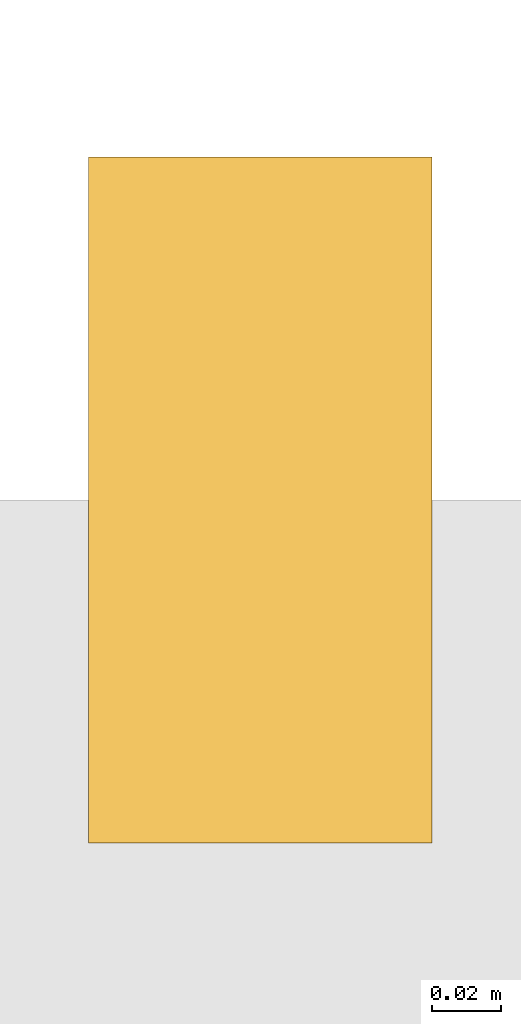
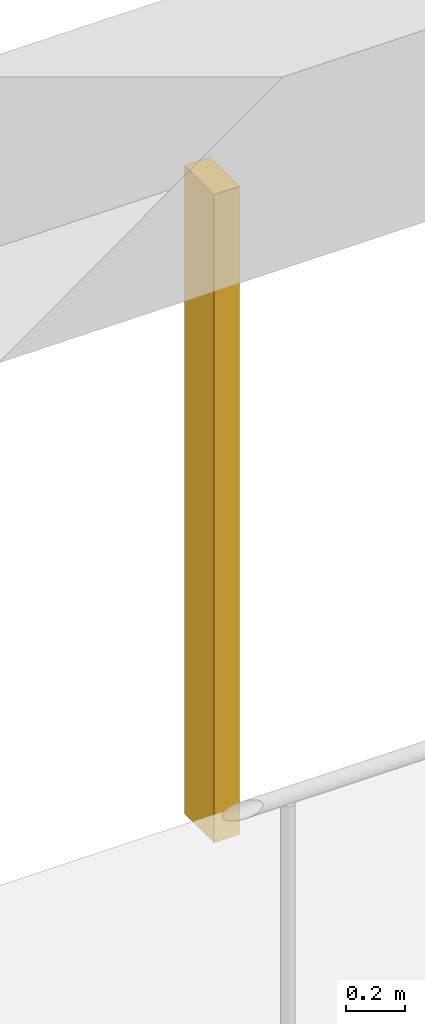
# One storey, part 15 of 19: 1 shading device.
"""IFC4 building model written with IfcOpenShell, lengths in metres."""

from ifc_helpers import new_model, si_unit, direction, frame, origin, origin_2d, place, context, subcontext, project, spatial, rectangle, extrude, material, material_profile, profile_set, type_object, element, save


model = new_model("IFC4")

# Units and contexts
model_context = context("Model", 3, precision=1e-05, world=origin(), true_north=direction((0.0, 1.0)))
body_context = subcontext(model_context, "Body", "Model", "MODEL_VIEW")
ifc_project = project(units=[si_unit("LENGTHUNIT", "METRE"), si_unit("AREAUNIT", "SQUARE_METRE"), si_unit("VOLUMEUNIT", "CUBIC_METRE"), si_unit("PLANEANGLEUNIT", "RADIAN"), si_unit("MASSUNIT", "GRAM", prefix="KILO")], contexts=[model_context])

# Site, building, storey
site_placement = place(None, origin())
site = spatial("IfcSite", under=ifc_project, at=site_placement, CompositionType="ELEMENT")
building_placement = place(site_placement, origin())
building = spatial("IfcBuilding", under=site, at=building_placement, Name="Vermilion Gate Residences", CompositionType="ELEMENT")
storey_placement = place(building_placement, frame((0.0, 0.0, 53.199951171875)))
storey = spatial("IfcBuildingStorey", under=building, at=storey_placement, Name="L12", CompositionType="ELEMENT", Elevation=53.199951171875)

# Shading device
ifc_material = material(Name="Extruded terracotta", Category="masonry")
ifc_material_profile = material_profile(ifc_material, rectangle(XDim=0.199951171875, YDim=0.10009765625, at=origin_2d()), Name="BAGUETTE 100 X 200")
ifc_profile_set = profile_set([ifc_material_profile], Name="Extruded terracotta")
shading_device_type = type_object("IfcShadingDeviceType", Name="TERRACOTTA BAGUETTE 100 X 200", PredefinedType="JALOUSIE", material=ifc_profile_set)
shading_device_placement = place(storey_placement, frame((63.0, 25.5, -0.280029296875), z_axis=(0.0, 0.0, 1.0), x_axis=(0.0, -1.0, 0.0)))
element("IfcShadingDevice", 1, at=shading_device_placement, inside=storey, type_object=shading_device_type, Name="BAGUETTE", PredefinedType="JALOUSIE", context=body_context, shape_type="SweptSolid", body=[
    extrude(rectangle(XDim=0.199951171875, YDim=0.10009765625, at=origin_2d()), origin(), (0.0, 0.0, 1.0), 2.7001953125),
])

save(model, "model.ifc")
